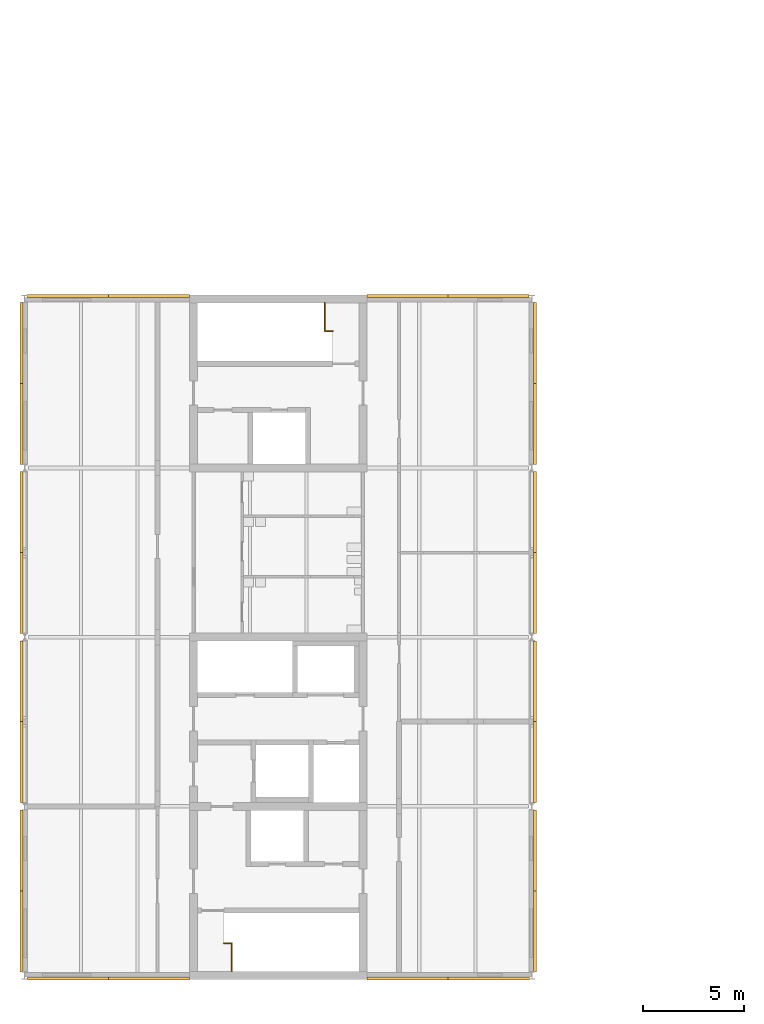
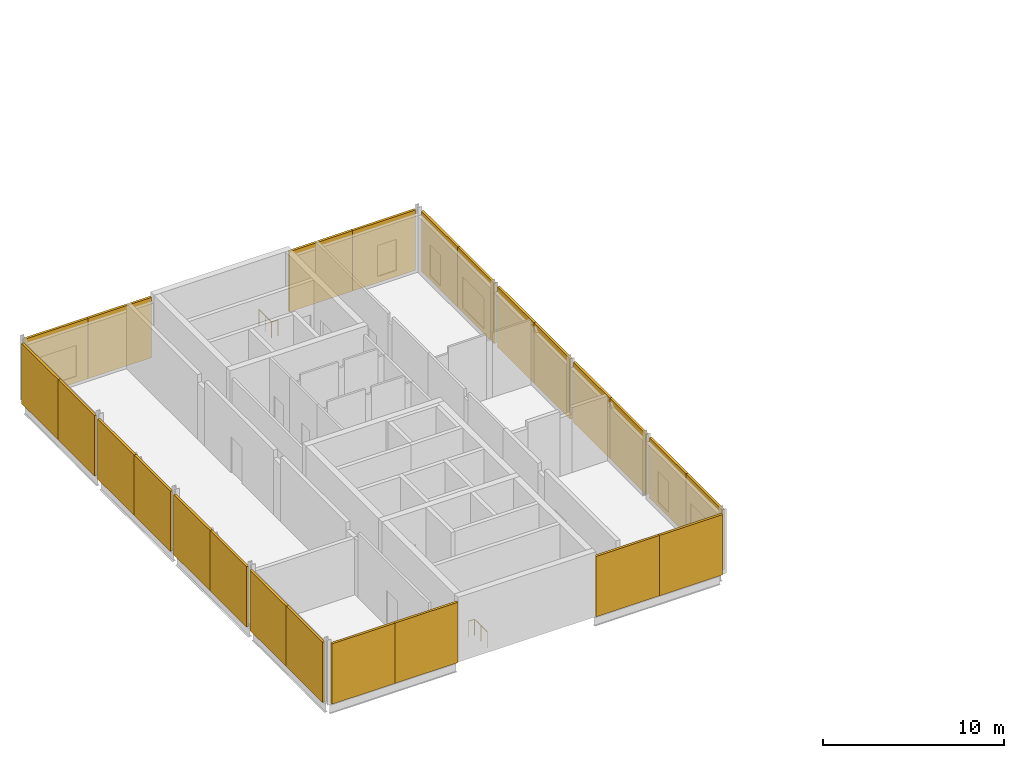
# One storey, part 24 of 26: 24 shading devices, 2 railings.
"""IFC4 building model written with IfcOpenShell, lengths in metres."""

from ifc_helpers import new_model, si_unit, direction, frame, origin, origin_2d, place, context, subcontext, project, spatial, rectangle, circle, extrude, material, layer, layer_set, type_object, element, save


model = new_model("IFC4")

# Units and contexts
model_context = context("Model", 3, precision=1e-05, world=origin(), true_north=direction((0.0, 1.0)))
body_context = subcontext(model_context, "Body", "Model", "MODEL_VIEW")
ifc_project = project(units=[si_unit("LENGTHUNIT", "METRE"), si_unit("AREAUNIT", "SQUARE_METRE"), si_unit("VOLUMEUNIT", "CUBIC_METRE"), si_unit("PLANEANGLEUNIT", "RADIAN"), si_unit("MASSUNIT", "GRAM", prefix="KILO")], contexts=[model_context])

# Site, building, storey
site_placement = place(None, origin())
site = spatial("IfcSite", under=ifc_project, at=site_placement, CompositionType="ELEMENT")
building_placement = place(site_placement, origin())
building = spatial("IfcBuilding", under=site, at=building_placement, Name="Hlaing Beacon Police Headquarters", CompositionType="ELEMENT")
storey_placement = place(building_placement, frame((0.0, 0.0, 23.39990234375)))
storey = spatial("IfcBuildingStorey", under=building, at=storey_placement, Name="L05", CompositionType="ELEMENT", Elevation=23.39990234375)

# Shading devices
ifc_material_1 = material(Name="Perforated aluminium", Category="aluminium")
ifc_layer = layer(ifc_material_1, 0.14990234375)
ifc_layer_set = layer_set([ifc_layer], Name="Perforated aluminium")
shading_device_type = type_object("IfcShadingDeviceType", Name="Perforated screen panel 150", PredefinedType="JALOUSIE", material=ifc_layer_set)
for number, where, z_axis, x_axis, name in (
    (1, (10.5625, 33.449951171875, 0.0), (0.0, 0.0, 1.0), (1.0, 0.0, 0.0), "Screen L05 S001"),
    (2, (14.58740234375, 33.449951171875, 0.0), (0.0, 0.0, 1.0), (1.0, 0.0, 0.0), "Screen L05 S002"),
):
    element("IfcShadingDevice", number, at=place(storey_placement, frame(where, z_axis=z_axis, x_axis=x_axis)), inside=storey, type_object=shading_device_type, Name=name, PredefinedType="JALOUSIE", context=body_context, shape_type="SweptSolid", body=[
        extrude(rectangle(XDim=4.02490234375, YDim=0.14990234375, at=origin_2d()), origin(), (0.0, 0.0, 1.0), 4.070068359375),
    ])
for number, where, z_axis, x_axis, name in (
    (3, (27.41796875, 33.449951171875, 0.0), (0.0, 0.0, 1.0), (1.0, 0.0, 0.0), "Screen L05 S003"),
    (4, (31.453857421875, 33.449951171875, 0.0), (0.0, 0.0, 1.0), (1.0, 0.0, 0.0), "Screen L05 S004"),
):
    element("IfcShadingDevice", number, at=place(storey_placement, frame(where, z_axis=z_axis, x_axis=x_axis)), inside=storey, type_object=shading_device_type, Name=name, PredefinedType="JALOUSIE", context=body_context, shape_type="SweptSolid", body=[
        extrude(rectangle(XDim=4.035888671875, YDim=0.14990234375, at=origin_2d()), origin(), (0.0, 0.0, 1.0), 4.070068359375),
    ])
for number, where, z_axis, x_axis, name in (
    (5, (33.75, 35.790771484375, 0.0), (0.0, 0.0, 1.0), (0.0, 1.0, 0.0), "Screen L05 E005"),
    (6, (33.75, 39.80908203125, 0.0), (0.0, 0.0, 1.0), (0.0, 1.0, 0.0), "Screen L05 E006"),
    (7, (33.75, 44.19091796875, 0.0), (0.0, 0.0, 1.0), (0.0, 1.0, 0.0), "Screen L05 E007"),
    (8, (33.75, 48.209228515625, 0.0), (0.0, 0.0, 1.0), (0.0, 1.0, 0.0), "Screen L05 E008"),
    (9, (33.75, 52.5908203125, 0.0), (0.0, 0.0, 1.0), (0.0, 1.0, 0.0), "Screen L05 E009"),
    (10, (33.75, 56.609130859375, 0.0), (0.0, 0.0, 1.0), (0.0, 1.0, 0.0), "Screen L05 E010"),
):
    element("IfcShadingDevice", number, at=place(storey_placement, frame(where, z_axis=z_axis, x_axis=x_axis)), inside=storey, type_object=shading_device_type, Name=name, PredefinedType="JALOUSIE", context=body_context, shape_type="SweptSolid", body=[
        extrude(rectangle(XDim=4.018310546875, YDim=0.14990234375, at=origin_2d()), origin(), (0.0, 0.0, 1.0), 4.070068359375),
    ])
for number, where, z_axis, x_axis, name in (
    (11, (33.75, 60.9921875, 0.0), (0.0, 0.0, 1.0), (0.0, 1.0, 0.0), "Screen L05 E011"),
    (12, (33.75, 65.012939453125, 0.0), (0.0, 0.0, 1.0), (0.0, 1.0, 0.0), "Screen L05 E012"),
):
    element("IfcShadingDevice", number, at=place(storey_placement, frame(where, z_axis=z_axis, x_axis=x_axis)), inside=storey, type_object=shading_device_type, Name=name, PredefinedType="JALOUSIE", context=body_context, shape_type="SweptSolid", body=[
        extrude(rectangle(XDim=4.02099609375, YDim=0.14990234375, at=origin_2d()), origin(), (0.0, 0.0, 1.0), 4.070068359375),
    ])
for number, where, z_axis, x_axis, name in (
    (13, (31.4375, 67.35009765625, 0.0), (0.0, 0.0, 1.0), (-1.0, 0.0, 0.0), "Screen L05 N013"),
    (14, (27.41259765625, 67.35009765625, 0.0), (0.0, 0.0, 1.0), (-1.0, 0.0, 0.0), "Screen L05 N014"),
):
    element("IfcShadingDevice", number, at=place(storey_placement, frame(where, z_axis=z_axis, x_axis=x_axis)), inside=storey, type_object=shading_device_type, Name=name, PredefinedType="JALOUSIE", context=body_context, shape_type="SweptSolid", body=[
        extrude(rectangle(XDim=4.02490234375, YDim=0.14990234375, at=origin_2d()), origin(), (0.0, 0.0, 1.0), 4.070068359375),
    ])
for number, where, z_axis, x_axis, name in (
    (15, (14.581787109375, 67.35009765625, 0.0), (0.0, 0.0, 1.0), (-1.0, 0.0, 0.0), "Screen L05 N015"),
    (16, (10.54541015625, 67.35009765625, 0.0), (0.0, 0.0, 1.0), (-1.0, 0.0, 0.0), "Screen L05 N016"),
):
    element("IfcShadingDevice", number, at=place(storey_placement, frame(where, z_axis=z_axis, x_axis=x_axis)), inside=storey, type_object=shading_device_type, Name=name, PredefinedType="JALOUSIE", context=body_context, shape_type="SweptSolid", body=[
        extrude(rectangle(XDim=4.03662109375, YDim=0.14990234375, at=origin_2d()), origin(), (0.0, 0.0, 1.0), 4.070068359375),
    ])
for number, where, z_axis, x_axis, name in (
    (17, (8.25, 65.012939453125, 0.0), (0.0, 0.0, 1.0), (0.0, -1.0, 0.0), "Screen L05 W017"),
    (18, (8.25, 60.9921875, 0.0), (0.0, 0.0, 1.0), (0.0, -1.0, 0.0), "Screen L05 W018"),
):
    element("IfcShadingDevice", number, at=place(storey_placement, frame(where, z_axis=z_axis, x_axis=x_axis)), inside=storey, type_object=shading_device_type, Name=name, PredefinedType="JALOUSIE", context=body_context, shape_type="SweptSolid", body=[
        extrude(rectangle(XDim=4.02099609375, YDim=0.14990234375, at=origin_2d()), origin(), (0.0, 0.0, 1.0), 4.070068359375),
    ])
for number, where, z_axis, x_axis, name in (
    (19, (8.25, 56.609130859375, 0.0), (0.0, 0.0, 1.0), (0.0, -1.0, 0.0), "Screen L05 W019"),
    (20, (8.25, 52.5908203125, 0.0), (0.0, 0.0, 1.0), (0.0, -1.0, 0.0), "Screen L05 W020"),
    (21, (8.25, 48.209228515625, 0.0), (0.0, 0.0, 1.0), (0.0, -1.0, 0.0), "Screen L05 W021"),
    (22, (8.25, 44.19091796875, 0.0), (0.0, 0.0, 1.0), (0.0, -1.0, 0.0), "Screen L05 W022"),
):
    element("IfcShadingDevice", number, at=place(storey_placement, frame(where, z_axis=z_axis, x_axis=x_axis)), inside=storey, type_object=shading_device_type, Name=name, PredefinedType="JALOUSIE", context=body_context, shape_type="SweptSolid", body=[
        extrude(rectangle(XDim=4.018310546875, YDim=0.14990234375, at=origin_2d()), origin(), (0.0, 0.0, 1.0), 4.070068359375),
    ])
for number, where, z_axis, x_axis, name in (
    (23, (8.25, 39.807861328125, 0.0), (0.0, 0.0, 1.0), (0.0, -1.0, 0.0), "Screen L05 W023"),
    (24, (8.25, 35.787109375, 0.0), (0.0, 0.0, 1.0), (0.0, -1.0, 0.0), "Screen L05 W024"),
):
    element("IfcShadingDevice", number, at=place(storey_placement, frame(where, z_axis=z_axis, x_axis=x_axis)), inside=storey, type_object=shading_device_type, Name=name, PredefinedType="JALOUSIE", context=body_context, shape_type="SweptSolid", body=[
        extrude(rectangle(XDim=4.02099609375, YDim=0.14990234375, at=origin_2d()), origin(), (0.0, 0.0, 1.0), 4.070068359375),
    ])

# Railings
ifc_material_2 = material(Name="Stainless steel", Category="steel")
railing_type = type_object("IfcRailingType", Name="Stair guard 1100", PredefinedType="GUARDRAIL", material=ifc_material_2)
railing_1_placement = place(storey_placement, frame((23.300048828125, 67.0, 0.0)))
element("IfcRailing", 25, at=railing_1_placement, inside=storey, type_object=railing_type, Name="Guard ST-P", PredefinedType="GUARDRAIL", context=body_context, shape_type="SweptSolid", body=[
    extrude(circle(Radius=0.02392578125, at=origin_2d()), frame((0.0, 0.0, 1.076171875), z_axis=(0.0, -1.0, 0.0), x_axis=(1.0, 0.0, 0.0)), (0.0, 0.0, 1.0), 1.39990234375),
    extrude(circle(Radius=0.02392578125, at=origin_2d()), frame((0.0, -1.39990234375, 1.076171875), z_axis=(1.0, 0.0, 0.0), x_axis=(0.0, 1.0, 0.0)), (0.0, 0.0, 1.0), 0.39990234375),
    extrude(circle(Radius=0.02099609375, at=origin_2d()), origin(), (0.0, 0.0, 1.0), 1.052001953125),
    extrude(circle(Radius=0.02099609375, at=origin_2d()), frame((0.0, -0.699951171875, 0.0)), (0.0, 0.0, 1.0), 1.052001953125),
    extrude(circle(Radius=0.02099609375, at=origin_2d()), frame((0.0, -1.39990234375, 0.0)), (0.0, 0.0, 1.0), 1.052001953125),
    extrude(circle(Radius=0.02099609375, at=origin_2d()), frame((0.39990234375, -1.39990234375, 0.0)), (0.0, 0.0, 1.0), 1.052001953125),
])
railing_2_placement = place(storey_placement, frame((18.699951171875, 33.800048828125, 0.0)))
element("IfcRailing", 26, at=railing_2_placement, inside=storey, type_object=railing_type, Name="Guard ST-N", PredefinedType="GUARDRAIL", context=body_context, shape_type="SweptSolid", body=[
    extrude(circle(Radius=0.02392578125, at=origin_2d()), frame((0.0, 0.0, 1.076171875), z_axis=(0.0, 1.0, 0.0), x_axis=(-1.0, 0.0, 0.0)), (0.0, 0.0, 1.0), 1.39990234375),
    extrude(circle(Radius=0.02392578125, at=origin_2d()), frame((0.0, 1.39990234375, 1.076171875), z_axis=(-1.0, 0.0, 0.0), x_axis=(0.0, -1.0, 0.0)), (0.0, 0.0, 1.0), 0.39990234375),
    extrude(circle(Radius=0.02099609375, at=origin_2d()), origin(), (0.0, 0.0, 1.0), 1.052001953125),
    extrude(circle(Radius=0.02099609375, at=origin_2d()), frame((0.0, 0.699951171875, 0.0)), (0.0, 0.0, 1.0), 1.052001953125),
    extrude(circle(Radius=0.02099609375, at=origin_2d()), frame((0.0, 1.39990234375, 0.0)), (0.0, 0.0, 1.0), 1.052001953125),
    extrude(circle(Radius=0.02099609375, at=origin_2d()), frame((-0.39990234375, 1.39990234375, 0.0)), (0.0, 0.0, 1.0), 1.052001953125),
])

save(model, "model.ifc")
